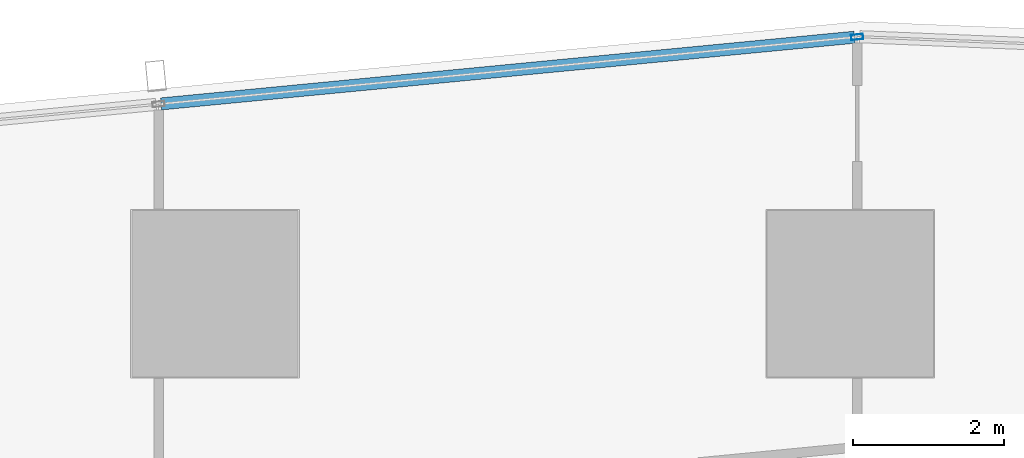
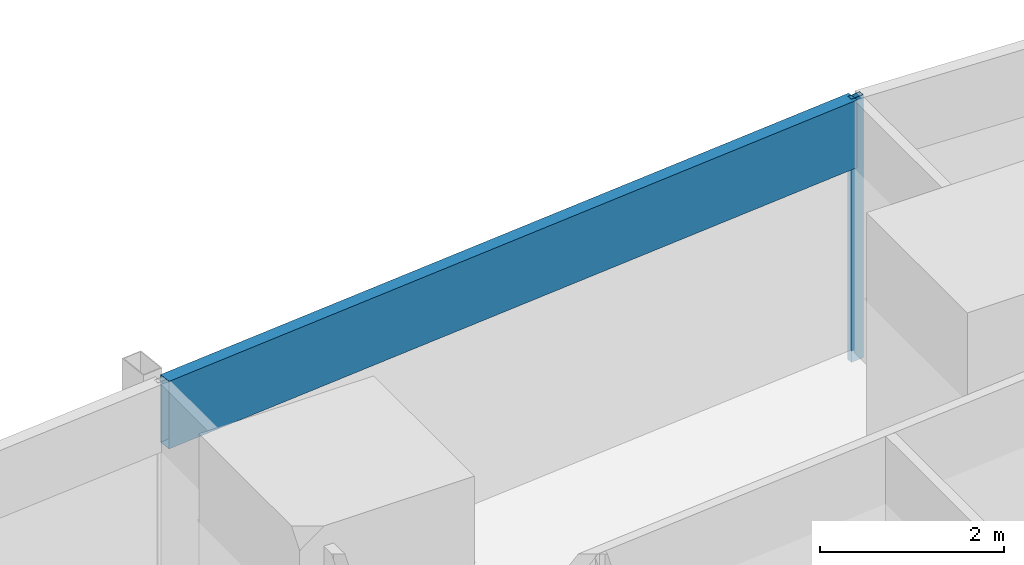
# One storey, part 17 of 44: 2 members, 1 element without a shape of its own.
"""IFC4 building model written with IfcOpenShell, lengths in metres."""

from ifc_helpers import new_model, si_unit, direction, frame, origin, origin_2d, place, context, subcontext, project, spatial, hollow_rectangle, extrude, material, material_profile, profile_set, type_object, element, aggregate, save


model = new_model("IFC4")

# Units and contexts
model_context = context("Model", 3, precision=1e-05, world=origin(), true_north=direction((0.0, 1.0)))
body_context = subcontext(model_context, "Body", "Model", "MODEL_VIEW")
ifc_project = project(units=[si_unit("LENGTHUNIT", "METRE"), si_unit("AREAUNIT", "SQUARE_METRE"), si_unit("VOLUMEUNIT", "CUBIC_METRE"), si_unit("PLANEANGLEUNIT", "RADIAN"), si_unit("MASSUNIT", "GRAM", prefix="KILO")], contexts=[model_context])

# Site, building, storey
site_placement = place(None, origin())
site = spatial("IfcSite", under=ifc_project, at=site_placement, CompositionType="ELEMENT")
building_placement = place(site_placement, origin())
building = spatial("IfcBuilding", under=site, at=building_placement, Name="Rekha Terrace Tower", CompositionType="ELEMENT")
storey_placement = place(building_placement, frame((0.0, 0.0, 66.64990234375)))
storey = spatial("IfcBuildingStorey", under=building, at=storey_placement, Name="L16", CompositionType="ELEMENT", Elevation=66.64990234375)

# Curtain wall, members
ifc_material_1 = material(Name="Aluminium framing", Category="aluminium")
curtain_wall_type = type_object("IfcCurtainWallType", Name="CW3 north unitised glazing", PredefinedType="USERDEFINED", material=ifc_material_1)
curtain_wall_placement = place(storey_placement, origin())
curtain_wall = element("IfcCurtainWall", 1, at=curtain_wall_placement, inside=storey, type_object=curtain_wall_type, Name="CW3 unitised curtain wall", ObjectType="UNITISED CURTAIN WALL", PredefinedType="USERDEFINED")
ifc_material_2 = material(Name="Aluminium mullion section", Category="aluminium")
ifc_material_profile_1 = material_profile(ifc_material_2, hollow_rectangle(XDim=0.070068359375, YDim=0.159912109375, WallThickness=0.00390625, at=origin_2d()), Name="AL RHS 70x160")
ifc_profile_set_1 = profile_set([ifc_material_profile_1], Name="Aluminium mullion section")
member_type_1 = type_object("IfcMemberType", Name="CW3 mullion RHS 70 x 160", PredefinedType="MULLION", material=ifc_profile_set_1)
member_1_placement = place(storey_placement, frame((25.29052734375, 62.1962890625, 0.0), z_axis=(0.0, 0.0, 1.0), x_axis=(0.095712406625, -0.995409029102, 0.0)))
member_1 = element("IfcMember", 2, at=member_1_placement, type_object=member_type_1, Name="CW3 mullion 1", PredefinedType="MULLION", context=body_context, shape_type="SweptSolid", body=[
    extrude(hollow_rectangle(XDim=0.070068359375, YDim=0.159912109375, WallThickness=0.00390625, at=origin_2d()), origin(), (0.0, 0.0, 1.0), 3.5),
])
ifc_material_3 = material(Name="Insulated aluminium spandrel box", Category="aluminium")
ifc_material_profile_2 = material_profile(ifc_material_3, hollow_rectangle(XDim=0.159912109375, YDim=0.89990234375, WallThickness=0.0029296875, at=origin_2d()), Name="AL SPANDREL BOX 160x900")
ifc_profile_set_2 = profile_set([ifc_material_profile_2], Name="Insulated aluminium spandrel box")
member_type_2 = type_object("IfcMemberType", Name="CW3 spandrel transom 160 x 900", PredefinedType="USERDEFINED", material=ifc_profile_set_2)
member_2_placement = place(storey_placement, frame((25.255859375, 62.19287109375, 3.050048828125), z_axis=(-0.995408446287, -0.095718467713, 0.0), x_axis=(0.095718467713, -0.995408446287, 0.0)))
member_2 = element("IfcMember", 3, at=member_2_placement, type_object=member_type_2, Name="CW3 spandrel transom 1", ObjectType="TRANSOM", PredefinedType="USERDEFINED", context=body_context, shape_type="SweptSolid", body=[
    extrude(hollow_rectangle(XDim=0.159912109375, YDim=0.89990234375, WallThickness=0.0029296875, at=origin_2d()), origin(), (0.0, 0.0, 1.0), 9.210205078125),
])
aggregate(curtain_wall, [member_1, member_2])

save(model, "model.ifc")
